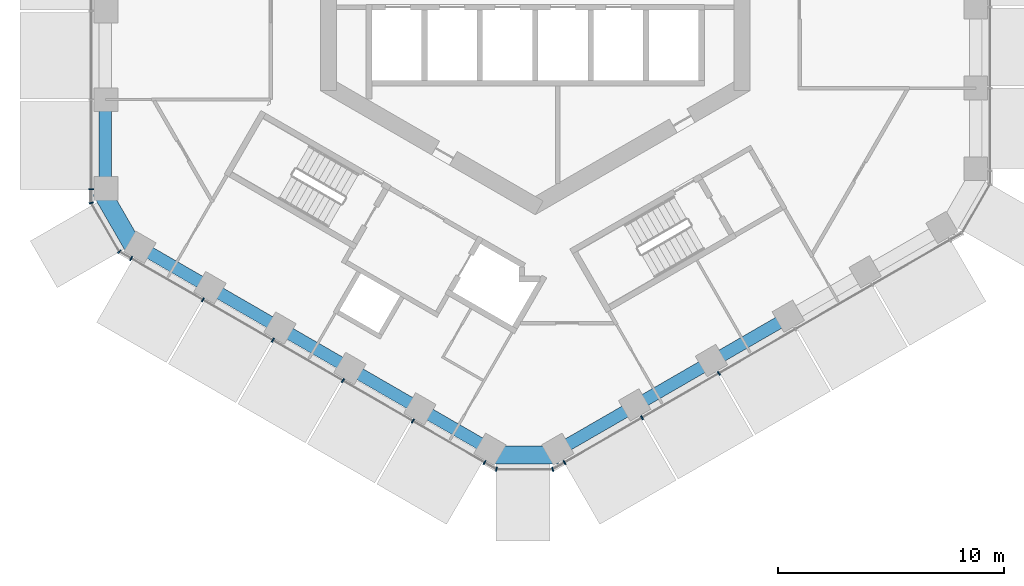
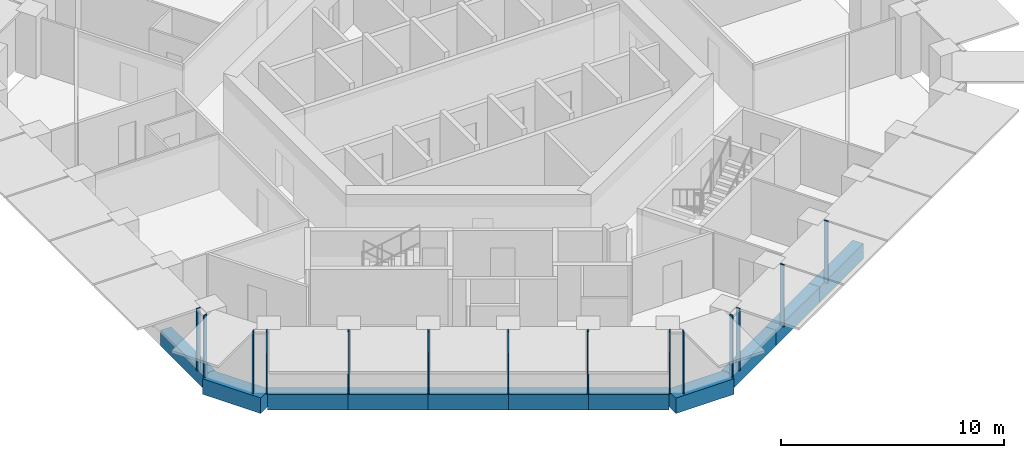
# One storey, part 2 of 18: 14 members, 11 beams, 5 elements without a shape of their own.
"""IFC4 building model written with IfcOpenShell, lengths in metres."""

import ifcopenshell
import ifcopenshell.guid

model = None  # the IFC model being written
_history = None  # IfcOwnerHistory: only IFC2X3 demands one
_inside = {}  # id of a spatial element -> (the spatial element, [elements in it])
_under = {}  # id of a project, library or spatial element -> (it, [spatial elements below it])
_declared = {}  # id of a project -> (the project, [libraries it declares])
_typed = {}  # id of a type object -> (the type object, [elements of that type])
_made_of = {}  # id of a material, layer set ... -> (it, [elements and type objects made of it])


def new_model(schema):
    """Start an empty IFC model of exactly this schema.

    Asked for "IFC4X3", IfcOpenShell would pick the latest addendum, in which some entities
    have other attributes; the version numbers below select the first issue.
    IFC2X3 requires an IfcOwnerHistory on every rooted entity: one is made here for all.
    """
    global model, _history
    if schema == "IFC4X3":
        model = ifcopenshell.file(schema_version=(4, 3, 0, 0))
    else:
        model = ifcopenshell.file(schema=schema)
    _inside.clear()
    _under.clear()
    _declared.clear()
    _typed.clear()
    _made_of.clear()
    _history = None
    if model.schema == "IFC2X3":
        org = make("IfcOrganization", Name="unknown")
        user = make(
            "IfcPersonAndOrganization",
            ThePerson=make("IfcPerson", FamilyName="unknown"),
            TheOrganization=org,
        )
        app = make(
            "IfcApplication",
            ApplicationDeveloper=org,
            Version="unknown",
            ApplicationFullName="unknown",
            ApplicationIdentifier="unknown",
        )
        _history = make(
            "IfcOwnerHistory",
            OwningUser=user,
            OwningApplication=app,
            ChangeAction="ADDED",
            CreationDate=0,
        )
    return model


def make(cls, **values):
    """One entity of the class cls with the attributes given. An attribute that is None is left unset."""
    return model.create_entity(
        cls, **{name: value for name, value in values.items() if value is not None}
    )


def rooted(cls, **values):
    """An entity with a GlobalId (a new one), such as an element, a storey or a relation."""
    return make(cls, GlobalId=ifcopenshell.guid.new(), OwnerHistory=_history, **values)


def si_unit(unit_type, name, prefix=None):
    """IfcSIUnit, for example si_unit("LENGTHUNIT", "METRE", prefix="MILLI")."""
    return make("IfcSIUnit", UnitType=unit_type, Prefix=prefix, Name=name)


def assignment(units):
    """IfcUnitAssignment: the units of a project."""
    return None if units is None else make("IfcUnitAssignment", Units=units)


def point(xyz):
    """IfcCartesianPoint."""
    return None if xyz is None else make("IfcCartesianPoint", Coordinates=xyz)


def direction(xyz):
    """IfcDirection."""
    return None if xyz is None else make("IfcDirection", DirectionRatios=xyz)


def frame(location, z_axis=None, x_axis=None):
    """IfcAxis2Placement3D, a coordinate frame: its origin and axes. An axis left out is left unset."""
    return make(
        "IfcAxis2Placement3D",
        Location=point(location),
        Axis=direction(z_axis),
        RefDirection=direction(x_axis),
    )


def frame_2d(location, x_axis=None):
    """IfcAxis2Placement2D, a coordinate frame in the plane: its origin and x axis."""
    return make(
        "IfcAxis2Placement2D", Location=point(location), RefDirection=direction(x_axis)
    )


def origin():
    """The frame at (0, 0, 0) with its axes left unset."""
    return frame((0.0, 0.0, 0.0))


def origin_2d():
    """The frame at (0, 0) in the plane with its x axis left unset."""
    return frame_2d((0.0, 0.0))


def place(relative_to, where):
    """IfcLocalPlacement: puts the frame where relative to a parent placement (None: the world)."""
    return make(
        "IfcLocalPlacement", PlacementRelTo=relative_to, RelativePlacement=where
    )


def context(
    kind, dimensions, precision=None, world=None, true_north=None, identifier=None
):
    """IfcGeometricRepresentationContext, for example the 3D "Model" context."""
    return make(
        "IfcGeometricRepresentationContext",
        ContextIdentifier=identifier,
        ContextType=kind,
        CoordinateSpaceDimension=dimensions,
        Precision=precision,
        WorldCoordinateSystem=world,
        TrueNorth=true_north,
    )


def subcontext(parent, identifier, kind, view, scale=None):
    """IfcGeometricRepresentationSubContext, for example "Body" below "Model"."""
    return make(
        "IfcGeometricRepresentationSubContext",
        ContextIdentifier=identifier,
        ContextType=kind,
        ParentContext=parent,
        TargetScale=scale,
        TargetView=view,
    )


def project(units=None, contexts=None):
    """IfcProject with its units and contexts."""
    return rooted(
        "IfcProject",
        Name="project",
        RepresentationContexts=contexts,
        UnitsInContext=assignment(units),
    )


def spatial(cls, under=None, at=None, **own):
    """A site, building, storey or space (cls), placed at a placement, below another one or the project."""
    s = rooted(cls, ObjectPlacement=at, **own)
    if under is not None:
        _under.setdefault(under.id(), (under, []))[1].append(s)
    return s


def profile(cls, at=None, kind="AREA", **sizes):
    """A parametric profile (cls). Its sizes go by their IFC names, for example OverallWidth=200.0."""
    return make(cls, ProfileType=kind, Position=at, **sizes)


def rectangle(**sizes):
    """IfcRectangleProfileDef."""
    return profile("IfcRectangleProfileDef", **sizes)


def extrude(swept, where, along, depth):
    """IfcExtrudedAreaSolid: the profile swept, set in the frame where, extruded along a direction by depth."""
    return make(
        "IfcExtrudedAreaSolid",
        SweptArea=swept,
        Position=where,
        ExtrudedDirection=direction(along),
        Depth=depth,
    )


def shape(context_of_items, identifier, shape_type, items):
    """IfcShapeRepresentation: the items that make up one representation, for example the "Body"."""
    return make(
        "IfcShapeRepresentation",
        ContextOfItems=context_of_items,
        RepresentationIdentifier=identifier,
        RepresentationType=shape_type,
        Items=items,
    )


def material(Name=None, Category=None):
    """IfcMaterial."""
    return make("IfcMaterial", Name=Name, Category=Category)


def layer(
    of_material, thickness, ventilated=None, Name=None, Category=None, Priority=None
):
    """IfcMaterialLayer: one layer of a wall or slab, of a material (None: an air gap)."""
    return make(
        "IfcMaterialLayer",
        Material=of_material,
        LayerThickness=thickness,
        IsVentilated=ventilated,
        Name=Name,
        Category=Category,
        Priority=Priority,
    )


def layer_set(layers, Name=None):
    """IfcMaterialLayerSet."""
    return make("IfcMaterialLayerSet", MaterialLayers=layers, LayerSetName=Name)


def material_profile(
    of_material, cross_section, Name=None, Category=None, Priority=None
):
    """IfcMaterialProfile: a cross section and its material."""
    return make(
        "IfcMaterialProfile",
        Name=Name,
        Material=of_material,
        Profile=cross_section,
        Priority=Priority,
        Category=Category,
    )


def profile_set(profiles, Name=None, composite=None):
    """IfcMaterialProfileSet."""
    return make(
        "IfcMaterialProfileSet",
        Name=Name,
        MaterialProfiles=profiles,
        CompositeProfile=composite,
    )


def made_of(thing, what):
    """Note that an element or type object is made of a material, layer set ...; save() writes the relation."""
    if what is not None:
        _made_of.setdefault(what.id(), (what, []))[1].append(thing)
    return thing


def type_object(cls, material=None, **own):
    """A type object (cls), such as IfcWallType, which elements share."""
    return made_of(rooted(cls, **own), material)


def element(
    cls,
    number,
    at=None,
    inside=None,
    cuts=None,
    type_object=None,
    material=None,
    context=None,
    identifier="Body",
    shape_type=None,
    held_by="IfcProductDefinitionShape",
    body=None,
    shapes=None,
    **own,
):
    """One element of the class cls, such as IfcWall. Its Tag is "e" and its number.

    at: its placement. inside: the storey or other place that contains it. cuts: it is an
    opening in that element (IfcRelVoidsElement). A single representation is given by context,
    identifier, shape_type and body (its items); several are given by shapes. held_by: the class
    of the entity that holds the representations. save() writes the other relations.
    """
    e = rooted(cls, Tag="e%d" % number, ObjectPlacement=at, **own)
    if body is not None:
        shapes = [shape(context, identifier, shape_type, body)]
    if shapes is not None:
        e.Representation = make(held_by, Representations=shapes)
    if inside is not None:
        _inside.setdefault(inside.id(), (inside, []))[1].append(e)
    if cuts is not None:
        rooted(
            "IfcRelVoidsElement", RelatingBuildingElement=cuts, RelatedOpeningElement=e
        )
    if type_object is not None:
        _typed.setdefault(type_object.id(), (type_object, []))[1].append(e)
    return made_of(e, material)


def aggregate(whole, parts):
    """IfcRelAggregates: a whole, such as a stair, and the parts it consists of."""
    return rooted("IfcRelAggregates", RelatingObject=whole, RelatedObjects=parts)


def save(model, path):
    """Write the relations noted so far, then the file.

    IfcRelAggregates (storeys below a building ...), IfcRelContainedInSpatialStructure (elements
    in a storey), IfcRelDefinesByType, IfcRelAssociatesMaterial and IfcRelDeclares: one each for
    every whole, place, type object, material and project.
    """
    for whole, parts in _under.values():
        aggregate(whole, parts)
    for where, things in _inside.values():
        rooted(
            "IfcRelContainedInSpatialStructure",
            RelatedElements=things,
            RelatingStructure=where,
        )
    for kind, things in _typed.values():
        rooted("IfcRelDefinesByType", RelatedObjects=things, RelatingType=kind)
    for what, things in _made_of.values():
        rooted("IfcRelAssociatesMaterial", RelatedObjects=things, RelatingMaterial=what)
    for by, libraries in _declared.values():
        rooted("IfcRelDeclares", RelatingContext=by, RelatedDefinitions=libraries)
    model.write(path)


model = new_model("IFC4")

# Units and contexts
model_context = context("Model", 3, precision=1e-05, world=origin(), true_north=direction((0.0, 1.0)))
body_context = subcontext(model_context, "Body", "Model", "MODEL_VIEW")
ifc_project = project(units=[si_unit("LENGTHUNIT", "METRE"), si_unit("AREAUNIT", "SQUARE_METRE"), si_unit("VOLUMEUNIT", "CUBIC_METRE"), si_unit("PLANEANGLEUNIT", "RADIAN"), si_unit("MASSUNIT", "GRAM", prefix="KILO")], contexts=[model_context])

# Site, building, storey
site_placement = place(None, origin())
site = spatial("IfcSite", under=ifc_project, at=site_placement, CompositionType="ELEMENT")
building_placement = place(site_placement, origin())
building = spatial("IfcBuilding", under=site, at=building_placement, Name="Ayvan Gate Tower", CompositionType="ELEMENT")
storey_placement = place(building_placement, frame((0.0, 0.0, 110.300048828125)))
storey = spatial("IfcBuildingStorey", under=building, at=storey_placement, Name="L29", CompositionType="ELEMENT", Elevation=110.300048828125)

# Beams
ifc_material_1 = material(Name="Concrete C40/50", Category="concrete")
ifc_material_profile_1 = material_profile(ifc_material_1, rectangle(XDim=0.800048828125, YDim=0.85009765625, at=origin_2d()), Name="RC 800x850")
ifc_profile_set_1 = profile_set([ifc_material_profile_1], Name="Concrete C40/50")
beam_type_1 = type_object("IfcBeamType", Name="Corner spandrel beam RC 800x850 C40/50", PredefinedType="BEAM", material=ifc_profile_set_1)
for number, where, z_axis, x_axis, name in (
    (1, (-19.21484375, -9.894287109375, -0.775146484375), (0.499990139034, -0.866031096941, 0.0), (0.866031096941, 0.499990139034, 0.0), "SB-L29-24"),
    (2, (-1.961181640625, -21.587646484375, -0.775146484375), (1.0, 0.0, 0.0), (0.0, 1.0, 0.0), "SB-L29-30"),
):
    element("IfcBeam", number, at=place(storey_placement, frame(where, z_axis=z_axis, x_axis=x_axis)), inside=storey, type_object=beam_type_1, Name=name, PredefinedType="BEAM", context=body_context, shape_type="SweptSolid", body=[
        extrude(rectangle(XDim=0.800048828125, YDim=0.85009765625, at=origin_2d()), origin(), (0.0, 0.0, 1.0), 3.0),
    ])
ifc_material_profile_2 = material_profile(ifc_material_1, rectangle(XDim=0.550048828125, YDim=0.85009765625, at=origin_2d()), Name="RC 550x850")
ifc_profile_set_2 = profile_set([ifc_material_profile_2], Name="Concrete C40/50")
beam_type_2 = type_object("IfcBeamType", Name="Spandrel beam RC 550x850 C40/50", PredefinedType="BEAM", material=ifc_profile_set_2)
beam_1_placement = place(storey_placement, frame((-19.0244140625, -5.87060546875, -0.775146484375), z_axis=(0.0, -1.0, 0.0), x_axis=(1.0, 0.0, 0.0)))
element("IfcBeam", 3, at=beam_1_placement, inside=storey, type_object=beam_type_2, Name="SB-L29-23", PredefinedType="BEAM", context=body_context, shape_type="SweptSolid", body=[
    extrude(rectangle(XDim=0.550048828125, YDim=0.85009765625, at=origin_2d()), origin(), (0.0, 0.0, 1.0), 3.91357421875),
])
beam_2_placement = place(storey_placement, frame((-17.5244140625, -12.38232421875, -0.775146484375), z_axis=(0.866031754707, -0.499988999718, 0.0), x_axis=(0.499988999718, 0.866031754707, 0.0)))
element("IfcBeam", 4, at=beam_2_placement, inside=storey, type_object=beam_type_2, Name="SB-L29-25", PredefinedType="BEAM", context=body_context, shape_type="SweptSolid", body=[
    extrude(rectangle(XDim=0.550048828125, YDim=0.85009765625, at=origin_2d()), origin(), (0.0, 0.0, 1.0), 3.59423828125),
])
for number, where, z_axis, x_axis, name in (
    (5, (-14.41162109375, -14.179443359375, -0.775146484375), (0.866014772941, -0.500018412708, 0.0), (0.500018412708, 0.866014772941, 0.0), "SB-L29-26"),
    (6, (-11.299072265625, -15.9765625, -0.775146484375), (0.866044186874, -0.499967465322, 0.0), (0.499967465322, 0.866044186874, 0.0), "SB-L29-27"),
    (7, (-8.1865234375, -17.7734375, -0.775146484375), (0.866014772941, -0.500018412708, 0.0), (0.500018412708, 0.866014772941, 0.0), "SB-L29-28"),
):
    element("IfcBeam", number, at=place(storey_placement, frame(where, z_axis=z_axis, x_axis=x_axis)), inside=storey, type_object=beam_type_2, Name=name, PredefinedType="BEAM", context=body_context, shape_type="SweptSolid", body=[
        extrude(rectangle(XDim=0.550048828125, YDim=0.85009765625, at=origin_2d()), origin(), (0.0, 0.0, 1.0), 3.593994140625),
    ])
beam_3_placement = place(storey_placement, frame((-5.073974609375, -19.570556640625, -0.775146484375), z_axis=(0.866031754707, -0.499988999718, 0.0), x_axis=(0.499988999718, 0.866031754707, 0.0)))
element("IfcBeam", 8, at=beam_3_placement, inside=storey, type_object=beam_type_2, Name="SB-L29-29", PredefinedType="BEAM", context=body_context, shape_type="SweptSolid", body=[
    extrude(rectangle(XDim=0.550048828125, YDim=0.85009765625, at=origin_2d()), origin(), (0.0, 0.0, 1.0), 3.59423828125),
])
beam_4_placement = place(storey_placement, frame((1.038818359375, -21.36767578125, -0.775146484375), z_axis=(0.866034960037, 0.49998344772, 0.0), x_axis=(-0.49998344772, 0.866034960037, 0.0)))
element("IfcBeam", 9, at=beam_4_placement, inside=storey, type_object=beam_type_2, Name="SB-L29-31", PredefinedType="BEAM", context=body_context, shape_type="SweptSolid", body=[
    extrude(rectangle(XDim=0.550048828125, YDim=0.85009765625, at=origin_2d()), origin(), (0.0, 0.0, 1.0), 3.913818359375),
])
beam_5_placement = place(storey_placement, frame((4.42822265625, -19.410888671875, -0.775146484375), z_axis=(0.865992350556, 0.500057245502, 0.0), x_axis=(-0.500057245502, 0.865992350556, 0.0)))
element("IfcBeam", 10, at=beam_5_placement, inside=storey, type_object=beam_type_2, Name="SB-L29-32", PredefinedType="BEAM", context=body_context, shape_type="SweptSolid", body=[
    extrude(rectangle(XDim=0.550048828125, YDim=0.85009765625, at=origin_2d()), origin(), (0.0, 0.0, 1.0), 3.91357421875),
])
beam_6_placement = place(storey_placement, frame((7.8173828125, -17.453857421875, -0.775146484375), z_axis=(0.866034960037, 0.49998344772, 0.0), x_axis=(-0.49998344772, 0.866034960037, 0.0)))
element("IfcBeam", 11, at=beam_6_placement, inside=storey, type_object=beam_type_2, Name="SB-L29-33", PredefinedType="BEAM", context=body_context, shape_type="SweptSolid", body=[
    extrude(rectangle(XDim=0.550048828125, YDim=0.85009765625, at=origin_2d()), origin(), (0.0, 0.0, 1.0), 3.913818359375),
])

# Curtain wall, member
ifc_material_2 = material(Name="Bronze anodised aluminium", Category="aluminium")
ifc_layer_1 = layer(ifc_material_2, 0.199951171875)
ifc_layer_set_1 = layer_set([ifc_layer_1], Name="Bronze anodised aluminium")
curtain_wall_type_1 = type_object("IfcCurtainWallType", Name="Stick curtain wall CW-1", PredefinedType="NOTDEFINED", material=ifc_layer_set_1)
curtain_wall_1_placement = place(storey_placement, origin())
curtain_wall_1 = element("IfcCurtainWall", 12, at=curtain_wall_1_placement, inside=storey, type_object=curtain_wall_type_1, Name="Stick curtain wall CW-1 L29", PredefinedType="NOTDEFINED")
ifc_material_profile_3 = material_profile(ifc_material_2, rectangle(XDim=0.199951171875, YDim=0.06005859375, at=origin_2d()), Name="Stick curtain wall CW-1 mullion 200 x 60")
ifc_profile_set_3 = profile_set([ifc_material_profile_3], Name="Bronze anodised aluminium")
member_type_1 = type_object("IfcMemberType", Name="Stick curtain wall CW-1 mullion 200 x 60", PredefinedType="MULLION", material=ifc_profile_set_3)
member_1_placement = place(storey_placement, frame((-19.6357421875, -9.84423828125, 0.0), z_axis=(0.0, 0.0, 1.0), x_axis=(-1.0, 0.0, 0.0)))
member_1 = element("IfcMember", 13, at=member_1_placement, type_object=member_type_1, Name="CW-1 mullion 6", PredefinedType="MULLION", context=body_context, shape_type="SweptSolid", body=[
    extrude(rectangle(XDim=0.199951171875, YDim=0.06005859375, at=origin_2d()), origin(), (0.0, 0.0, 1.0), 3.39990234375),
])
aggregate(curtain_wall_1, [member_1])

# Curtain wall, members
curtain_wall_2_placement = place(storey_placement, origin())
curtain_wall_2 = element("IfcCurtainWall", 14, at=curtain_wall_2_placement, inside=storey, type_object=curtain_wall_type_1, Name="Stick curtain wall CW-1 L29", PredefinedType="NOTDEFINED")
member_2_placement = place(storey_placement, frame((-17.86865234375, -12.9052734375, 0.0), z_axis=(0.0, 0.0, 1.0), x_axis=(-0.5, -0.866025403784, 0.0)))
member_2 = element("IfcMember", 15, at=member_2_placement, type_object=member_type_1, Name="CW-1 mullion 1", PredefinedType="MULLION", context=body_context, shape_type="SweptSolid", body=[
    extrude(rectangle(XDim=0.199951171875, YDim=0.06005859375, at=origin_2d()), origin(), (0.0, 0.0, 1.0), 3.39990234375),
])
member_3_placement = place(storey_placement, frame((-14.697998046875, -14.73583984375, 0.0), z_axis=(0.0, 0.0, 1.0), x_axis=(-0.5, -0.866025403784, 0.0)))
member_3 = element("IfcMember", 16, at=member_3_placement, type_object=member_type_1, Name="CW-1 mullion 2", PredefinedType="MULLION", context=body_context, shape_type="SweptSolid", body=[
    extrude(rectangle(XDim=0.199951171875, YDim=0.06005859375, at=origin_2d()), origin(), (0.0, 0.0, 1.0), 3.39990234375),
])
member_4_placement = place(storey_placement, frame((-11.602783203125, -16.522705078125, 0.0), z_axis=(0.0, 0.0, 1.0), x_axis=(-0.5, -0.866025403784, 0.0)))
member_4 = element("IfcMember", 17, at=member_4_placement, type_object=member_type_1, Name="CW-1 mullion 3", PredefinedType="MULLION", context=body_context, shape_type="SweptSolid", body=[
    extrude(rectangle(XDim=0.199951171875, YDim=0.06005859375, at=origin_2d()), origin(), (0.0, 0.0, 1.0), 3.39990234375),
])
member_5_placement = place(storey_placement, frame((-8.5078125, -18.309814453125, 0.0), z_axis=(0.0, 0.0, 1.0), x_axis=(-0.5, -0.866025403784, 0.0)))
member_5 = element("IfcMember", 18, at=member_5_placement, type_object=member_type_1, Name="CW-1 mullion 4", PredefinedType="MULLION", context=body_context, shape_type="SweptSolid", body=[
    extrude(rectangle(XDim=0.199951171875, YDim=0.06005859375, at=origin_2d()), origin(), (0.0, 0.0, 1.0), 3.39990234375),
])
member_6_placement = place(storey_placement, frame((-5.41259765625, -20.0966796875, 0.0), z_axis=(0.0, 0.0, 1.0), x_axis=(-0.5, -0.866025403784, 0.0)))
member_6 = element("IfcMember", 19, at=member_6_placement, type_object=member_type_1, Name="CW-1 mullion 5", PredefinedType="MULLION", context=body_context, shape_type="SweptSolid", body=[
    extrude(rectangle(XDim=0.199951171875, YDim=0.06005859375, at=origin_2d()), origin(), (0.0, 0.0, 1.0), 3.39990234375),
])
member_7_placement = place(storey_placement, frame((-2.241943359375, -21.92724609375, 0.0), z_axis=(0.0, 0.0, 1.0), x_axis=(-0.5, -0.866025403784, 0.0)))
member_7 = element("IfcMember", 20, at=member_7_placement, type_object=member_type_1, Name="CW-1 mullion 6", PredefinedType="MULLION", context=body_context, shape_type="SweptSolid", body=[
    extrude(rectangle(XDim=0.199951171875, YDim=0.06005859375, at=origin_2d()), origin(), (0.0, 0.0, 1.0), 3.39990234375),
])
aggregate(curtain_wall_2, [member_2, member_3, member_4, member_5, member_6, member_7])

curtain_wall_3_placement = place(storey_placement, origin())
curtain_wall_3 = element("IfcCurtainWall", 21, at=curtain_wall_3_placement, inside=storey, type_object=curtain_wall_type_1, Name="Stick curtain wall CW-1 L29", PredefinedType="NOTDEFINED")
member_8_placement = place(storey_placement, frame((1.29248046875, -21.92724609375, 0.0), z_axis=(0.0, 0.0, 1.0), x_axis=(0.5, -0.866025403784, 0.0)))
member_8 = element("IfcMember", 22, at=member_8_placement, type_object=member_type_1, Name="CW-1 mullion 1", PredefinedType="MULLION", context=body_context, shape_type="SweptSolid", body=[
    extrude(rectangle(XDim=0.199951171875, YDim=0.06005859375, at=origin_2d()), origin(), (0.0, 0.0, 1.0), 3.39990234375),
])
member_9_placement = place(storey_placement, frame((4.720947265625, -19.94775390625, 0.0), z_axis=(0.0, 0.0, 1.0), x_axis=(0.5, -0.866025403784, 0.0)))
member_9 = element("IfcMember", 23, at=member_9_placement, type_object=member_type_1, Name="CW-1 mullion 2", PredefinedType="MULLION", context=body_context, shape_type="SweptSolid", body=[
    extrude(rectangle(XDim=0.199951171875, YDim=0.06005859375, at=origin_2d()), origin(), (0.0, 0.0, 1.0), 3.39990234375),
])
member_10_placement = place(storey_placement, frame((8.119384765625, -17.98583984375, 0.0), z_axis=(0.0, 0.0, 1.0), x_axis=(0.5, -0.866025403784, 0.0)))
member_10 = element("IfcMember", 24, at=member_10_placement, type_object=member_type_1, Name="CW-1 mullion 3", PredefinedType="MULLION", context=body_context, shape_type="SweptSolid", body=[
    extrude(rectangle(XDim=0.199951171875, YDim=0.06005859375, at=origin_2d()), origin(), (0.0, 0.0, 1.0), 3.39990234375),
])
aggregate(curtain_wall_3, [member_8, member_9, member_10])

ifc_layer_2 = layer(ifc_material_2, 0.199951171875)
ifc_layer_set_2 = layer_set([ifc_layer_2], Name="Bronze anodised aluminium")
curtain_wall_type_2 = type_object("IfcCurtainWallType", Name="Stick curtain wall CW-6", PredefinedType="NOTDEFINED", material=ifc_layer_set_2)
curtain_wall_4_placement = place(storey_placement, origin())
curtain_wall_4 = element("IfcCurtainWall", 25, at=curtain_wall_4_placement, inside=storey, type_object=curtain_wall_type_2, Name="Stick curtain wall CW-6 L29", PredefinedType="NOTDEFINED")
ifc_material_profile_4 = material_profile(ifc_material_2, rectangle(XDim=0.199951171875, YDim=0.050048828125, at=origin_2d()), Name="Stick curtain wall CW-6 mullion 200 x 50")
ifc_profile_set_4 = profile_set([ifc_material_profile_4], Name="Bronze anodised aluminium")
member_type_2 = type_object("IfcMemberType", Name="Stick curtain wall CW-6 mullion 200 x 50", PredefinedType="MULLION", material=ifc_profile_set_4)
member_11_placement = place(storey_placement, frame((-19.6357421875, -10.449462890625, 0.0), z_axis=(0.0, 0.0, 1.0), x_axis=(-0.965925826289, -0.258819045103, 0.0)))
member_11 = element("IfcMember", 26, at=member_11_placement, type_object=member_type_2, Name="CW-6 mullion 2", PredefinedType="MULLION", context=body_context, shape_type="SweptSolid", body=[
    extrude(rectangle(XDim=0.199951171875, YDim=0.050048828125, at=origin_2d()), origin(), (0.0, 0.0, 1.0), 3.39990234375),
])
member_12_placement = place(storey_placement, frame((-18.392578125, -12.602783203125, 0.0), z_axis=(0.0, 0.0, 1.0), x_axis=(-0.707106781187, -0.707106781187, 0.0)))
member_12 = element("IfcMember", 27, at=member_12_placement, type_object=member_type_2, Name="CW-6 mullion 3", PredefinedType="MULLION", context=body_context, shape_type="SweptSolid", body=[
    extrude(rectangle(XDim=0.199951171875, YDim=0.050048828125, at=origin_2d()), origin(), (0.0, 0.0, 1.0), 3.39990234375),
])
aggregate(curtain_wall_4, [member_11, member_12])

curtain_wall_5_placement = place(storey_placement, origin())
curtain_wall_5 = element("IfcCurtainWall", 28, at=curtain_wall_5_placement, inside=storey, type_object=curtain_wall_type_2, Name="Stick curtain wall CW-6 L29", PredefinedType="NOTDEFINED")
member_13_placement = place(storey_placement, frame((-1.718017578125, -22.229736328125, 0.0), z_axis=(0.0, 0.0, 1.0), x_axis=(-0.258819045103, -0.965925826289, 0.0)))
member_13 = element("IfcMember", 29, at=member_13_placement, type_object=member_type_2, Name="CW-6 mullion 2", PredefinedType="MULLION", context=body_context, shape_type="SweptSolid", body=[
    extrude(rectangle(XDim=0.199951171875, YDim=0.050048828125, at=origin_2d()), origin(), (0.0, 0.0, 1.0), 3.39990234375),
])
member_14_placement = place(storey_placement, frame((0.7685546875, -22.229736328125, 0.0), z_axis=(0.0, 0.0, 1.0), x_axis=(0.258819045103, -0.965925826289, 0.0)))
member_14 = element("IfcMember", 30, at=member_14_placement, type_object=member_type_2, Name="CW-6 mullion 3", PredefinedType="MULLION", context=body_context, shape_type="SweptSolid", body=[
    extrude(rectangle(XDim=0.199951171875, YDim=0.050048828125, at=origin_2d()), origin(), (0.0, 0.0, 1.0), 3.39990234375),
])
aggregate(curtain_wall_5, [member_13, member_14])

save(model, "model.ifc")
